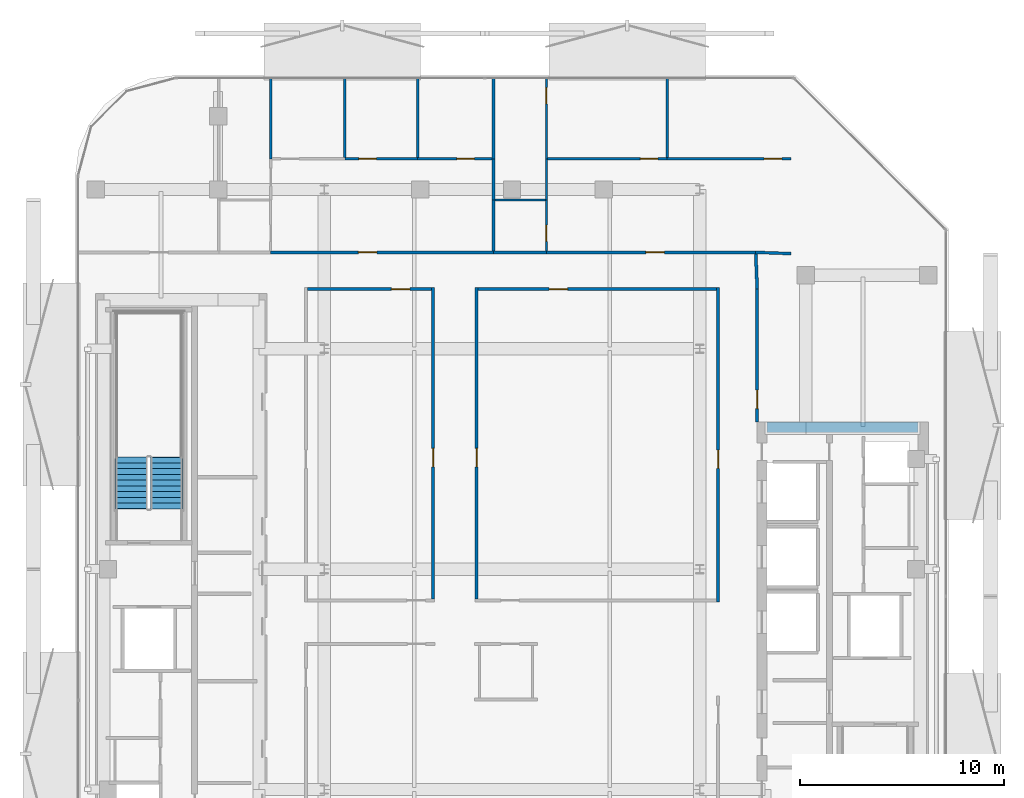
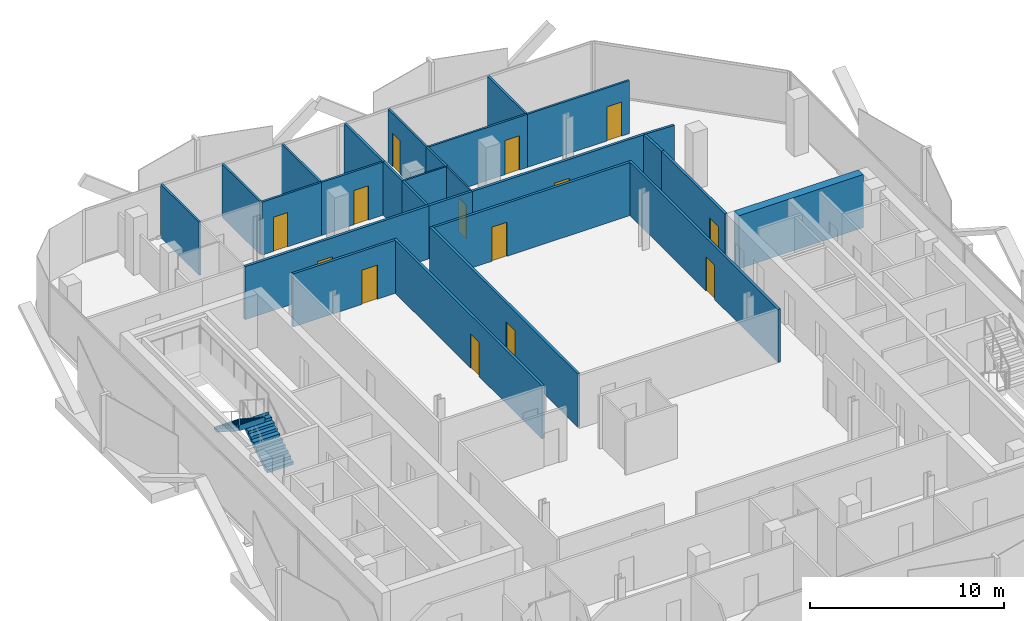
# One storey, part 6 of 15: 27 walls, 14 doors, 2 stair flights, 14 openings, 1 element without a shape of its own.
"""IFC4 building model written with IfcOpenShell, lengths in metres."""

from ifc_helpers import new_model, si_unit, direction, frame, frame_2d, origin, place, context, subcontext, project, spatial, polyline, rectangle, outline, extrude, material, layer, layer_set, type_object, element, fill, aggregate, save


model = new_model("IFC4")

# Units and contexts
model_context = context("Model", 3, precision=1e-05, world=origin(), true_north=direction((0.0, 1.0)))
body_context = subcontext(model_context, "Body", "Model", "MODEL_VIEW")
ifc_project = project(units=[si_unit("LENGTHUNIT", "METRE"), si_unit("AREAUNIT", "SQUARE_METRE"), si_unit("VOLUMEUNIT", "CUBIC_METRE"), si_unit("PLANEANGLEUNIT", "RADIAN"), si_unit("MASSUNIT", "GRAM", prefix="KILO")], contexts=[model_context])

# Site, building, storey
site_placement = place(None, origin())
site = spatial("IfcSite", under=ifc_project, at=site_placement, CompositionType="ELEMENT")
building_placement = place(site_placement, origin())
building = spatial("IfcBuilding", under=site, at=building_placement, Name="Khairoan Windgate Tower", CompositionType="ELEMENT")
storey_placement = place(building_placement, frame((0.0, 0.0, 262.0)))
storey = spatial("IfcBuildingStorey", under=building, at=storey_placement, Name="L62", CompositionType="ELEMENT", Elevation=262.0)

# Wall
ifc_material_1 = material(Name="Moisture-Resistant Gypsum Partition", Category="gypsum")
ifc_layer_1 = layer(ifc_material_1, 0.10009765625, Name="Moisture-Resistant Gypsum Partition")
ifc_layer_set_1 = layer_set([ifc_layer_1], Name="Moisture-Resistant Gypsum Partition")
wall_type_1 = type_object("IfcWallType", Name="Bathroom Wet-Area Partition Wall", PredefinedType="PARTITIONING", material=ifc_layer_set_1)
wall_1_placement = place(storey_placement, frame((-0.830078125, 18.10009765625, 0.0), z_axis=(0.0, 0.0, 1.0), x_axis=(1.0, 0.0, 0.0)))
element("IfcWall", 1, at=wall_1_placement, inside=storey, type_object=wall_type_1, Name="L62 Interior Partition 055", PredefinedType="PARTITIONING", context=body_context, shape_type="SweptSolid", body=[
    extrude(rectangle(XDim=2.469970703125, YDim=0.10009765625, at=frame_2d((1.23486328125, 0.0))), origin(), (0.0, 0.0, 1.0), 3.340087890625),
])

# Wall, opening, door
wall_2_placement = place(storey_placement, frame((1.68994140625, 15.60009765625, 0.0), z_axis=(0.0, 0.0, 1.0), x_axis=(0.0, 1.0, 0.0)))
wall_2 = element("IfcWall", 2, at=wall_2_placement, inside=storey, type_object=wall_type_1, Name="L62 Interior Partition 056", PredefinedType="PARTITIONING", context=body_context, shape_type="SweptSolid", body=[
    extrude(rectangle(XDim=2.5, YDim=0.10009765625, at=frame_2d((1.25, 0.0))), origin(), (0.0, 0.0, 1.0), 3.340087890625),
])
opening_1_placement = place(wall_2_placement, frame((0.4599609375, 0.0, 0.0)))
opening_1 = element("IfcOpeningElement", 3, at=opening_1_placement, cuts=wall_2, Name="Opening ID-BTH", PredefinedType="OPENING", context=body_context, shape_type="SweptSolid", body=[
    extrude(rectangle(XDim=0.800048828125, YDim=2.10009765625, at=frame_2d((0.39990234375, 1.050048828125))), frame((0.0, 0.06005859375, 0.0), z_axis=(0.0, -1.0, 0.0), x_axis=(1.0, 0.0, 0.0)), (0.0, 0.0, 1.0), 0.1201171875),
])
ifc_material_2 = material(Name="Teak Veneer Timber Leaf", Category="wood")
door_type_1 = type_object("IfcDoorType", Name="Internal Bathroom Door ID-BTH 800x2100", OperationType="NOTDEFINED", PredefinedType="DOOR", material=ifc_material_2)
door_1_placement = place(opening_1_placement, origin())
door_1 = element("IfcDoor", 4, at=door_1_placement, inside=storey, type_object=door_type_1, Name="L62 L62-41-L62-43 Door", OperationType="SINGLE_SWING_LEFT", OverallHeight=2.10009765625, OverallWidth=0.800048828125, PredefinedType="DOOR", context=body_context, shape_type="SweptSolid", body=[
    extrude(rectangle(XDim=0.800048828125, YDim=2.10009765625, at=frame_2d((0.39990234375, 1.050048828125))), frame((0.0, 0.02490234375, 0.0), z_axis=(0.0, -1.0, 0.0), x_axis=(1.0, 0.0, 0.0)), (0.0, 0.0, 1.0), 0.050048828125),
])
fill(opening_1, door_1)

# Walls
ifc_material_3 = material(Name="Acoustic Fire-Rated Gypsum Partition", Category="gypsum")
ifc_layer_2 = layer(ifc_material_3, 0.139892578125, Name="Acoustic Fire-Rated Gypsum Partition")
ifc_layer_set_2 = layer_set([ifc_layer_2], Name="Acoustic Fire-Rated Gypsum Partition")
wall_type_2 = type_object("IfcWallType", Name="Inter-Tenancy Compartment Wall", PredefinedType="PARTITIONING", material=ifc_layer_set_2)
wall_3_placement = place(storey_placement, frame((-0.89990234375, 15.60009765625, 0.0), z_axis=(0.0, 0.0, 1.0), x_axis=(0.0, 1.0, 0.0)))
element("IfcWall", 5, at=wall_3_placement, inside=storey, type_object=wall_type_2, Name="L62 Interior Partition 050", PredefinedType="PARTITIONING", context=body_context, shape_type="SweptSolid", body=[
    extrude(rectangle(XDim=2.5, YDim=0.139892578125, at=frame_2d((1.25, 0.0))), origin(), (0.0, 0.0, 1.0), 3.340087890625),
])
wall_4_placement = place(storey_placement, frame((-0.89990234375, 18.10009765625, 0.0), z_axis=(0.0, 0.0, 1.0), x_axis=(0.0, 1.0, 0.0)))
element("IfcWall", 6, at=wall_4_placement, inside=storey, type_object=wall_type_2, Name="L62 Interior Partition 051", PredefinedType="PARTITIONING", context=body_context, shape_type="SweptSolid", body=[
    extrude(rectangle(XDim=2.0, YDim=0.139892578125, at=frame_2d((1.0, 0.0))), origin(), (0.0, 0.0, 1.0), 3.340087890625),
])
wall_5_placement = place(storey_placement, frame((-0.89990234375, 20.10009765625, 0.0), z_axis=(0.0, 0.0, 1.0), x_axis=(0.0, 1.0, 0.0)))
element("IfcWall", 7, at=wall_5_placement, inside=storey, type_object=wall_type_2, Name="L62 Interior Partition 054", PredefinedType="PARTITIONING", context=body_context, shape_type="SweptSolid", body=[
    extrude(rectangle(XDim=3.954833984375, YDim=0.139892578125, at=frame_2d((1.9775390625, 0.0))), origin(), (0.0, 0.0, 1.0), 3.340087890625),
])
wall_6_placement = place(storey_placement, frame((11.93994140625, 15.52490234375, 0.0), z_axis=(0.0, 0.0, 1.0), x_axis=(0.999304229002, -0.037296888581, 0.0)))
element("IfcWall", 8, at=wall_6_placement, inside=storey, type_object=wall_type_2, Name="L62 Interior Partition 061", PredefinedType="PARTITIONING", context=body_context, shape_type="SweptSolid", body=[
    extrude(rectangle(XDim=1.7412109375, YDim=0.139892578125, at=frame_2d((0.87060546875, 0.0))), origin(), (0.0, 0.0, 1.0), 3.340087890625),
])
ifc_material_4 = material(Name="Gypsum Stud Partition", Category="gypsum")
ifc_layer_3 = layer(ifc_material_4, 0.1201171875, Name="Gypsum Stud Partition")
ifc_layer_set_3 = layer_set([ifc_layer_3], Name="Gypsum Stud Partition")
wall_type_3 = type_object("IfcWallType", Name="Internal Room Partition Wall", PredefinedType="PARTITIONING", material=ifc_layer_set_3)
wall_7_placement = place(storey_placement, frame((-11.830078125, 20.10009765625, 0.0), z_axis=(0.0, 0.0, 1.0), x_axis=(0.0, 1.0, 0.0)))
element("IfcWall", 9, at=wall_7_placement, inside=storey, type_object=wall_type_3, Name="L62 Interior Partition 045", PredefinedType="PARTITIONING", context=body_context, shape_type="SweptSolid", body=[
    extrude(rectangle(XDim=3.954833984375, YDim=0.1201171875, at=frame_2d((1.9775390625, 0.0))), origin(), (0.0, 0.0, 1.0), 3.340087890625),
])

# Wall, opening, door
wall_8_placement = place(storey_placement, frame((-8.18701171875, 20.10009765625, 0.0), z_axis=(0.0, 0.0, 1.0), x_axis=(1.0, 0.0, 0.0)))
wall_8 = element("IfcWall", 10, at=wall_8_placement, inside=storey, type_object=wall_type_3, Name="L62 Interior Partition 048", PredefinedType="PARTITIONING", context=body_context, shape_type="SweptSolid", body=[
    extrude(rectangle(XDim=3.56396484375, YDim=0.1201171875, at=frame_2d((1.781982421875, 0.0))), origin(), (0.0, 0.0, 1.0), 3.340087890625),
])
opening_2_placement = place(wall_8_placement, frame((0.68310546875, 0.0, 0.0)))
opening_2 = element("IfcOpeningElement", 11, at=opening_2_placement, cuts=wall_8, Name="Opening ID-RM", PredefinedType="OPENING", context=body_context, shape_type="SweptSolid", body=[
    extrude(rectangle(XDim=0.860107421875, YDim=2.14990234375, at=frame_2d((0.43017578125, 1.074951171875))), frame((0.0, 0.070068359375, 0.0), z_axis=(0.0, -1.0, 0.0), x_axis=(1.0, 0.0, 0.0)), (0.0, 0.0, 1.0), 0.14013671875),
])
ifc_material_5 = material(Name="Teak Veneer Timber Leaf", Category="wood")
door_type_2 = type_object("IfcDoorType", Name="Internal Bedroom and Office Door ID-RM 860x2150", OperationType="NOTDEFINED", PredefinedType="DOOR", material=ifc_material_5)
door_2_placement = place(opening_2_placement, origin())
door_2 = element("IfcDoor", 12, at=door_2_placement, inside=storey, type_object=door_type_2, Name="L62 L62-37-L62-39 Door", OperationType="SINGLE_SWING_LEFT", OverallHeight=2.14990234375, OverallWidth=0.860107421875, PredefinedType="DOOR", context=body_context, shape_type="SweptSolid", body=[
    extrude(rectangle(XDim=0.860107421875, YDim=2.14990234375, at=frame_2d((0.43017578125, 1.074951171875))), frame((0.0, 0.02490234375, 0.0), z_axis=(0.0, -1.0, 0.0), x_axis=(1.0, 0.0, 0.0)), (0.0, 0.0, 1.0), 0.050048828125),
])
fill(opening_2, door_2)

wall_9_placement = place(storey_placement, frame((-4.623046875, 20.10009765625, 0.0), z_axis=(0.0, 0.0, 1.0), x_axis=(1.0, 0.0, 0.0)))
wall_9 = element("IfcWall", 13, at=wall_9_placement, inside=storey, type_object=wall_type_3, Name="L62 Interior Partition 049", PredefinedType="PARTITIONING", context=body_context, shape_type="SweptSolid", body=[
    extrude(rectangle(XDim=3.653076171875, YDim=0.1201171875, at=frame_2d((1.82666015625, 0.0))), origin(), (0.0, 0.0, 1.0), 3.340087890625),
])
opening_3_placement = place(wall_9_placement, frame((1.916748046875, 0.0, 0.0)))
opening_3 = element("IfcOpeningElement", 14, at=opening_3_placement, cuts=wall_9, Name="Opening ID-RM", PredefinedType="OPENING", context=body_context, shape_type="SweptSolid", body=[
    extrude(rectangle(XDim=0.860107421875, YDim=2.14990234375, at=frame_2d((0.43017578125, 1.074951171875))), frame((0.0, 0.070068359375, 0.0), z_axis=(0.0, -1.0, 0.0), x_axis=(1.0, 0.0, 0.0)), (0.0, 0.0, 1.0), 0.14013671875),
])
door_3_placement = place(opening_3_placement, origin())
door_3 = element("IfcDoor", 15, at=door_3_placement, inside=storey, type_object=door_type_2, Name="L62 L62-37-L62-40 Door", OperationType="SINGLE_SWING_RIGHT", OverallHeight=2.14990234375, OverallWidth=0.860107421875, PredefinedType="DOOR", context=body_context, shape_type="SweptSolid", body=[
    extrude(rectangle(XDim=0.860107421875, YDim=2.14990234375, at=frame_2d((0.43017578125, 1.074951171875))), frame((0.0, 0.02490234375, 0.0), z_axis=(0.0, -1.0, 0.0), x_axis=(1.0, 0.0, 0.0)), (0.0, 0.0, 1.0), 0.050048828125),
])
fill(opening_3, door_3)

# Walls
for number, where, z_axis, x_axis, name in (
    (16, (-8.18701171875, 20.159912109375, 0.0), (0.0, 0.0, 1.0), (0.0, 1.0, 0.0), "L62 Interior Partition 052"),
    (17, (-4.623046875, 20.159912109375, 0.0), (0.0, 0.0, 1.0), (0.0, 1.0, 0.0), "L62 Interior Partition 053"),
):
    element("IfcWall", number, at=place(storey_placement, frame(where, z_axis=z_axis, x_axis=x_axis)), inside=storey, type_object=wall_type_3, Name=name, PredefinedType="PARTITIONING", context=body_context, shape_type="SweptSolid", body=[
        extrude(rectangle(XDim=3.89501953125, YDim=0.1201171875, at=frame_2d((1.947509765625, 0.0))), origin(), (0.0, 0.0, 1.0), 3.340087890625),
    ])
wall_10_placement = place(storey_placement, frame((1.68994140625, 18.10009765625, 0.0), z_axis=(0.0, 0.0, 1.0), x_axis=(0.0, 1.0, 0.0)))
element("IfcWall", 18, at=wall_10_placement, inside=storey, type_object=wall_type_3, Name="L62 Interior Partition 057", PredefinedType="PARTITIONING", context=body_context, shape_type="SweptSolid", body=[
    extrude(rectangle(XDim=2.0, YDim=0.1201171875, at=frame_2d((1.0, 0.0))), origin(), (0.0, 0.0, 1.0), 3.340087890625),
])

# Wall, opening, door
wall_11_placement = place(storey_placement, frame((1.68994140625, 20.10009765625, 0.0), z_axis=(0.0, 0.0, 1.0), x_axis=(0.0, 1.0, 0.0)))
wall_11 = element("IfcWall", 19, at=wall_11_placement, inside=storey, type_object=wall_type_3, Name="L62 Interior Partition 058", PredefinedType="PARTITIONING", context=body_context, shape_type="SweptSolid", body=[
    extrude(rectangle(XDim=3.954833984375, YDim=0.1201171875, at=frame_2d((1.9775390625, 0.0))), origin(), (0.0, 0.0, 1.0), 3.340087890625),
])
opening_4_placement = place(wall_11_placement, frame((2.695068359375, 0.0, 0.0)))
opening_4 = element("IfcOpeningElement", 20, at=opening_4_placement, cuts=wall_11, Name="Opening ID-BTH", PredefinedType="OPENING", context=body_context, shape_type="SweptSolid", body=[
    extrude(rectangle(XDim=0.800048828125, YDim=2.10009765625, at=frame_2d((0.39990234375, 1.050048828125))), frame((0.0, 0.070068359375, 0.0), z_axis=(0.0, -1.0, 0.0), x_axis=(1.0, 0.0, 0.0)), (0.0, 0.0, 1.0), 0.14013671875),
])
door_4_placement = place(opening_4_placement, origin())
door_4 = element("IfcDoor", 21, at=door_4_placement, inside=storey, type_object=door_type_1, Name="L62 L62-42-L62-44 Door", OperationType="SINGLE_SWING_LEFT", OverallHeight=2.10009765625, OverallWidth=0.800048828125, PredefinedType="DOOR", context=body_context, shape_type="SweptSolid", body=[
    extrude(rectangle(XDim=0.800048828125, YDim=2.10009765625, at=frame_2d((0.39990234375, 1.050048828125))), frame((0.0, 0.02490234375, 0.0), z_axis=(0.0, -1.0, 0.0), x_axis=(1.0, 0.0, 0.0)), (0.0, 0.0, 1.0), 0.050048828125),
])
fill(opening_4, door_4)

wall_12_placement = place(storey_placement, frame((1.75, 20.10009765625, 0.0), z_axis=(0.0, 0.0, 1.0), x_axis=(1.0, 0.0, 0.0)))
wall_12 = element("IfcWall", 22, at=wall_12_placement, inside=storey, type_object=wall_type_3, Name="L62 Interior Partition 059", PredefinedType="PARTITIONING", context=body_context, shape_type="SweptSolid", body=[
    extrude(rectangle(XDim=5.85498046875, YDim=0.1201171875, at=frame_2d((2.927490234375, 0.0))), origin(), (0.0, 0.0, 1.0), 3.340087890625),
])
opening_5_placement = place(wall_12_placement, frame((4.534912109375, 0.0, 0.0)))
opening_5 = element("IfcOpeningElement", 23, at=opening_5_placement, cuts=wall_12, Name="Opening ID-RM", PredefinedType="OPENING", context=body_context, shape_type="SweptSolid", body=[
    extrude(rectangle(XDim=0.860107421875, YDim=2.14990234375, at=frame_2d((0.43017578125, 1.074951171875))), frame((0.0, 0.070068359375, 0.0), z_axis=(0.0, -1.0, 0.0), x_axis=(1.0, 0.0, 0.0)), (0.0, 0.0, 1.0), 0.14013671875),
])
door_5_placement = place(opening_5_placement, origin())
door_5 = element("IfcDoor", 24, at=door_5_placement, inside=storey, type_object=door_type_2, Name="L62 L62-43-L62-44 Door", OperationType="SINGLE_SWING_LEFT", OverallHeight=2.14990234375, OverallWidth=0.860107421875, PredefinedType="DOOR", context=body_context, shape_type="SweptSolid", body=[
    extrude(rectangle(XDim=0.860107421875, YDim=2.14990234375, at=frame_2d((0.43017578125, 1.074951171875))), frame((0.0, 0.02490234375, 0.0), z_axis=(0.0, -1.0, 0.0), x_axis=(1.0, 0.0, 0.0)), (0.0, 0.0, 1.0), 0.050048828125),
])
fill(opening_5, door_5)

wall_13_placement = place(storey_placement, frame((7.60498046875, 20.10009765625, 0.0), z_axis=(0.0, 0.0, 1.0), x_axis=(1.0, 0.0, 0.0)))
wall_13 = element("IfcWall", 25, at=wall_13_placement, inside=storey, type_object=wall_type_3, Name="L62 Interior Partition 060", PredefinedType="PARTITIONING", context=body_context, shape_type="SweptSolid", body=[
    extrude(rectangle(XDim=6.074951171875, YDim=0.1201171875, at=frame_2d((3.03759765625, 0.0))), origin(), (0.0, 0.0, 1.0), 3.340087890625),
])
opening_6_placement = place(wall_13_placement, frame((4.7548828125, 0.0, 0.0)))
opening_6 = element("IfcOpeningElement", 26, at=opening_6_placement, cuts=wall_13, Name="Opening ID-RM", PredefinedType="OPENING", context=body_context, shape_type="SweptSolid", body=[
    extrude(rectangle(XDim=0.860107421875, YDim=2.14990234375, at=frame_2d((0.43017578125, 1.074951171875))), frame((0.0, 0.070068359375, 0.0), z_axis=(0.0, -1.0, 0.0), x_axis=(1.0, 0.0, 0.0)), (0.0, 0.0, 1.0), 0.14013671875),
])
door_6_placement = place(opening_6_placement, origin())
door_6 = element("IfcDoor", 27, at=door_6_placement, inside=storey, type_object=door_type_2, Name="L62 L62-43-L62-45 Door", OperationType="SINGLE_SWING_RIGHT", OverallHeight=2.14990234375, OverallWidth=0.860107421875, PredefinedType="DOOR", context=body_context, shape_type="SweptSolid", body=[
    extrude(rectangle(XDim=0.860107421875, YDim=2.14990234375, at=frame_2d((0.43017578125, 1.074951171875))), frame((0.0, 0.02490234375, 0.0), z_axis=(0.0, -1.0, 0.0), x_axis=(1.0, 0.0, 0.0)), (0.0, 0.0, 1.0), 0.050048828125),
])
fill(opening_6, door_6)

# Wall
wall_14_placement = place(storey_placement, frame((7.60498046875, 20.159912109375, 0.0), z_axis=(0.0, 0.0, 1.0), x_axis=(0.0, 1.0, 0.0)))
element("IfcWall", 28, at=wall_14_placement, inside=storey, type_object=wall_type_3, Name="L62 Interior Partition 062", PredefinedType="PARTITIONING", context=body_context, shape_type="SweptSolid", body=[
    extrude(rectangle(XDim=3.89501953125, YDim=0.1201171875, at=frame_2d((1.947509765625, 0.0))), origin(), (0.0, 0.0, 1.0), 3.340087890625),
])

# Wall, opening, door
ifc_material_6 = material(Name="Acoustic Fire-Rated Gypsum Partition", Category="gypsum")
ifc_layer_4 = layer(ifc_material_6, 0.14990234375, Name="Acoustic Fire-Rated Gypsum Partition")
ifc_layer_set_4 = layer_set([ifc_layer_4], Name="Acoustic Fire-Rated Gypsum Partition")
wall_type_4 = type_object("IfcWallType", Name="Rated Corridor Partition Wall", PredefinedType="PARTITIONING", material=ifc_layer_set_4)
wall_15_placement = place(storey_placement, frame((12.014892578125, 7.199951171875, 0.0), z_axis=(0.0, 0.0, 1.0), x_axis=(0.0, 1.0, 0.0)))
wall_15 = element("IfcWall", 29, at=wall_15_placement, inside=storey, type_object=wall_type_4, Name="L62 Interior Partition 017", PredefinedType="PARTITIONING", context=body_context, shape_type="SweptSolid", body=[
    extrude(rectangle(XDim=6.52001953125, YDim=0.14990234375, at=frame_2d((3.260009765625, 0.0))), origin(), (0.0, 0.0, 1.0), 3.340087890625),
])
opening_7_placement = place(wall_15_placement, frame((0.669921875, 0.0, 0.0)))
opening_7 = element("IfcOpeningElement", 30, at=opening_7_placement, cuts=wall_15, Name="Opening FD-ENT", PredefinedType="OPENING", context=body_context, shape_type="SweptSolid", body=[
    extrude(rectangle(XDim=0.89990234375, YDim=2.14990234375, at=frame_2d((0.449951171875, 1.074951171875))), frame((0.0, 0.0849609375, 0.0), z_axis=(0.0, -1.0, 0.0), x_axis=(1.0, 0.0, 0.0)), (0.0, 0.0, 1.0), 0.169921875),
])
ifc_material_7 = material(Name="Timber Fire-Rated Core", Category="wood")
door_type_3 = type_object("IfcDoorType", Name="Unit and Office Fire Entrance Door FD-ENT 900x2150", OperationType="NOTDEFINED", PredefinedType="DOOR", material=ifc_material_7)
door_7_placement = place(opening_7_placement, origin())
door_7 = element("IfcDoor", 31, at=door_7_placement, inside=storey, type_object=door_type_3, Name="L62 L62-30-L62-56 Door", OperationType="SINGLE_SWING_RIGHT", OverallHeight=2.14990234375, OverallWidth=0.89990234375, PredefinedType="DOOR", context=body_context, shape_type="SweptSolid", body=[
    extrude(rectangle(XDim=0.89990234375, YDim=2.14990234375, at=frame_2d((0.449951171875, 1.074951171875))), frame((0.0, 0.02490234375, 0.0), z_axis=(0.0, -1.0, 0.0), x_axis=(1.0, 0.0, 0.0)), (0.0, 0.0, 1.0), 0.050048828125),
])
fill(opening_7, door_7)

wall_16_placement = place(storey_placement, frame((10.10009765625, -1.610107421875, 0.0), z_axis=(0.0, 0.0, 1.0), x_axis=(0.0, 1.0, 0.0)))
wall_16 = element("IfcWall", 32, at=wall_16_placement, inside=storey, type_object=wall_type_4, Name="L62 Interior Partition 018", PredefinedType="PARTITIONING", context=body_context, shape_type="SweptSolid", body=[
    extrude(rectangle(XDim=15.405029296875, YDim=0.14990234375, at=frame_2d((7.70263671875, 0.0))), origin(), (0.0, 0.0, 1.0), 3.340087890625),
])
opening_8_placement = place(wall_16_placement, frame((6.542724609375, 0.0, 0.0)))
opening_8 = element("IfcOpeningElement", 33, at=opening_8_placement, cuts=wall_16, Name="Opening FD-ENT", PredefinedType="OPENING", context=body_context, shape_type="SweptSolid", body=[
    extrude(rectangle(XDim=0.89990234375, YDim=2.14990234375, at=frame_2d((0.449951171875, 1.074951171875))), frame((0.0, 0.0849609375, 0.0), z_axis=(0.0, -1.0, 0.0), x_axis=(1.0, 0.0, 0.0)), (0.0, 0.0, 1.0), 0.169921875),
])
door_8_placement = place(opening_8_placement, origin())
door_8 = element("IfcDoor", 34, at=door_8_placement, inside=storey, type_object=door_type_3, Name="L62 L62-30-L62-61 Door", OperationType="SINGLE_SWING_LEFT", OverallHeight=2.14990234375, OverallWidth=0.89990234375, PredefinedType="DOOR", context=body_context, shape_type="SweptSolid", body=[
    extrude(rectangle(XDim=0.89990234375, YDim=2.14990234375, at=frame_2d((0.449951171875, 1.074951171875))), frame((0.0, 0.02490234375, 0.0), z_axis=(0.0, -1.0, 0.0), x_axis=(1.0, 0.0, 0.0)), (0.0, 0.0, 1.0), 0.050048828125),
])
fill(opening_8, door_8)

wall_17_placement = place(storey_placement, frame((-3.864990234375, -1.4599609375, 0.0), z_axis=(0.0, 0.0, 1.0), x_axis=(0.0, 1.0, 0.0)))
wall_17 = element("IfcWall", 35, at=wall_17_placement, inside=storey, type_object=wall_type_4, Name="L62 Interior Partition 024", PredefinedType="PARTITIONING", context=body_context, shape_type="SweptSolid", body=[
    extrude(rectangle(XDim=15.2548828125, YDim=0.14990234375, at=frame_2d((7.62744140625, 0.0))), origin(), (0.0, 0.0, 1.0), 3.340087890625),
])
opening_9_placement = place(wall_17_placement, frame((6.4755859375, 0.0, 0.0)))
opening_9 = element("IfcOpeningElement", 36, at=opening_9_placement, cuts=wall_17, Name="Opening FD-ENT", PredefinedType="OPENING", context=body_context, shape_type="SweptSolid", body=[
    extrude(rectangle(XDim=0.89990234375, YDim=2.14990234375, at=frame_2d((0.449951171875, 1.074951171875))), frame((0.0, 0.0849609375, 0.0), z_axis=(0.0, -1.0, 0.0), x_axis=(1.0, 0.0, 0.0)), (0.0, 0.0, 1.0), 0.169921875),
])
door_9_placement = place(opening_9_placement, origin())
door_9 = element("IfcDoor", 37, at=door_9_placement, inside=storey, type_object=door_type_3, Name="L62 L62-32-L62-59 Door", OperationType="SINGLE_SWING_LEFT", OverallHeight=2.14990234375, OverallWidth=0.89990234375, PredefinedType="DOOR", context=body_context, shape_type="SweptSolid", body=[
    extrude(rectangle(XDim=0.89990234375, YDim=2.14990234375, at=frame_2d((0.449951171875, 1.074951171875))), frame((0.0, 0.02490234375, 0.0), z_axis=(0.0, -1.0, 0.0), x_axis=(1.0, 0.0, 0.0)), (0.0, 0.0, 1.0), 0.050048828125),
])
fill(opening_9, door_9)

wall_18_placement = place(storey_placement, frame((-1.735107421875, -1.4599609375, 0.0), z_axis=(0.0, 0.0, 1.0), x_axis=(0.0, 1.0, 0.0)))
wall_18 = element("IfcWall", 38, at=wall_18_placement, inside=storey, type_object=wall_type_4, Name="L62 Interior Partition 025", PredefinedType="PARTITIONING", context=body_context, shape_type="SweptSolid", body=[
    extrude(rectangle(XDim=15.2548828125, YDim=0.14990234375, at=frame_2d((7.62744140625, 0.0))), origin(), (0.0, 0.0, 1.0), 3.340087890625),
])
opening_10_placement = place(wall_18_placement, frame((6.4755859375, 0.0, 0.0)))
opening_10 = element("IfcOpeningElement", 39, at=opening_10_placement, cuts=wall_18, Name="Opening FD-ENT", PredefinedType="OPENING", context=body_context, shape_type="SweptSolid", body=[
    extrude(rectangle(XDim=0.89990234375, YDim=2.14990234375, at=frame_2d((0.449951171875, 1.074951171875))), frame((0.0, 0.0849609375, 0.0), z_axis=(0.0, -1.0, 0.0), x_axis=(1.0, 0.0, 0.0)), (0.0, 0.0, 1.0), 0.169921875),
])
door_10_placement = place(opening_10_placement, origin())
door_10 = element("IfcDoor", 40, at=door_10_placement, inside=storey, type_object=door_type_3, Name="L62 L62-32-L62-61 Door", OperationType="SINGLE_SWING_RIGHT", OverallHeight=2.14990234375, OverallWidth=0.89990234375, PredefinedType="DOOR", context=body_context, shape_type="SweptSolid", body=[
    extrude(rectangle(XDim=0.89990234375, YDim=2.14990234375, at=frame_2d((0.449951171875, 1.074951171875))), frame((0.0, 0.02490234375, 0.0), z_axis=(0.0, -1.0, 0.0), x_axis=(1.0, 0.0, 0.0)), (0.0, 0.0, 1.0), 0.050048828125),
])
fill(opening_10, door_10)

wall_19_placement = place(storey_placement, frame((-11.830078125, 15.52490234375, 0.0), z_axis=(0.0, 0.0, 1.0), x_axis=(1.0, 0.0, 0.0)))
wall_19 = element("IfcWall", 41, at=wall_19_placement, inside=storey, type_object=wall_type_4, Name="L62 Interior Partition 027", PredefinedType="PARTITIONING", context=body_context, shape_type="SweptSolid", body=[
    extrude(rectangle(XDim=10.93017578125, YDim=0.14990234375, at=frame_2d((5.465087890625, 0.0))), origin(), (0.0, 0.0, 1.0), 3.340087890625),
])
opening_11_placement = place(wall_19_placement, frame((4.306396484375, 0.0, 0.0)))
opening_11 = element("IfcOpeningElement", 42, at=opening_11_placement, cuts=wall_19, Name="Opening FD-ENT", PredefinedType="OPENING", context=body_context, shape_type="SweptSolid", body=[
    extrude(rectangle(XDim=0.89990234375, YDim=2.14990234375, at=frame_2d((0.449951171875, 1.074951171875))), frame((0.0, 0.0849609375, 0.0), z_axis=(0.0, -1.0, 0.0), x_axis=(1.0, 0.0, 0.0)), (0.0, 0.0, 1.0), 0.169921875),
])
door_11_placement = place(opening_11_placement, origin())
door_11 = element("IfcDoor", 43, at=door_11_placement, inside=storey, type_object=door_type_3, Name="L62 L62-33-L62-37 Door", OperationType="SINGLE_SWING_LEFT", OverallHeight=2.14990234375, OverallWidth=0.89990234375, PredefinedType="DOOR", context=body_context, shape_type="SweptSolid", body=[
    extrude(rectangle(XDim=0.89990234375, YDim=2.14990234375, at=frame_2d((0.449951171875, 1.074951171875))), frame((0.0, 0.02490234375, 0.0), z_axis=(0.0, -1.0, 0.0), x_axis=(1.0, 0.0, 0.0)), (0.0, 0.0, 1.0), 0.050048828125),
])
fill(opening_11, door_11)

# Wall
wall_20_placement = place(storey_placement, frame((-0.89990234375, 15.52490234375, 0.0), z_axis=(0.0, 0.0, 1.0), x_axis=(1.0, 0.0, 0.0)))
element("IfcWall", 44, at=wall_20_placement, inside=storey, type_object=wall_type_4, Name="L62 Interior Partition 028", PredefinedType="PARTITIONING", context=body_context, shape_type="SweptSolid", body=[
    extrude(rectangle(XDim=2.58984375, YDim=0.14990234375, at=frame_2d((1.294921875, 0.0))), origin(), (0.0, 0.0, 1.0), 3.340087890625),
])

# Wall, opening, door
wall_21_placement = place(storey_placement, frame((1.68994140625, 15.52490234375, 0.0), z_axis=(0.0, 0.0, 1.0), x_axis=(1.0, 0.0, 0.0)))
wall_21 = element("IfcWall", 45, at=wall_21_placement, inside=storey, type_object=wall_type_4, Name="L62 Interior Partition 029", PredefinedType="PARTITIONING", context=body_context, shape_type="SweptSolid", body=[
    extrude(rectangle(XDim=10.25, YDim=0.14990234375, at=frame_2d((5.125, 0.0))), origin(), (0.0, 0.0, 1.0), 3.340087890625),
])
opening_12_placement = place(wall_21_placement, frame((4.875732421875, 0.0, 0.0)))
opening_12 = element("IfcOpeningElement", 46, at=opening_12_placement, cuts=wall_21, Name="Opening FD-ENT", PredefinedType="OPENING", context=body_context, shape_type="SweptSolid", body=[
    extrude(rectangle(XDim=0.89990234375, YDim=2.14990234375, at=frame_2d((0.449951171875, 1.074951171875))), frame((0.0, 0.0849609375, 0.0), z_axis=(0.0, -1.0, 0.0), x_axis=(1.0, 0.0, 0.0)), (0.0, 0.0, 1.0), 0.169921875),
])
door_12_placement = place(opening_12_placement, origin())
door_12 = element("IfcDoor", 47, at=door_12_placement, inside=storey, type_object=door_type_3, Name="L62 L62-33-L62-43 Door", OperationType="SINGLE_SWING_RIGHT", OverallHeight=2.14990234375, OverallWidth=0.89990234375, PredefinedType="DOOR", context=body_context, shape_type="SweptSolid", body=[
    extrude(rectangle(XDim=0.89990234375, YDim=2.14990234375, at=frame_2d((0.449951171875, 1.074951171875))), frame((0.0, 0.02490234375, 0.0), z_axis=(0.0, -1.0, 0.0), x_axis=(1.0, 0.0, 0.0)), (0.0, 0.0, 1.0), 0.050048828125),
])
fill(opening_12, door_12)

# Wall
wall_22_placement = place(storey_placement, frame((12.014892578125, 13.719970703125, 0.0), z_axis=(0.0, 0.0, 1.0), x_axis=(-0.040046877756, 0.99919780203, 0.0)))
element("IfcWall", 48, at=wall_22_placement, inside=storey, type_object=wall_type_4, Name="L62 Interior Partition 030", PredefinedType="PARTITIONING", context=body_context, shape_type="SweptSolid", body=[
    extrude(rectangle(XDim=1.7314453125, YDim=0.14990234375, at=frame_2d((0.86572265625, 0.0))), origin(), (0.0, 0.0, 1.0), 3.340087890625),
])

# Wall, opening, door
wall_23_placement = place(storey_placement, frame((-10.02490234375, 13.719970703125, 0.0), z_axis=(0.0, 0.0, 1.0), x_axis=(1.0, 0.0, 0.0)))
wall_23 = element("IfcWall", 49, at=wall_23_placement, inside=storey, type_object=wall_type_4, Name="L62 Interior Partition 032", PredefinedType="PARTITIONING", context=body_context, shape_type="SweptSolid", body=[
    extrude(rectangle(XDim=6.0849609375, YDim=0.14990234375, at=frame_2d((3.04248046875, 0.0))), origin(), (0.0, 0.0, 1.0), 3.340087890625),
])
opening_13_placement = place(wall_23_placement, frame((4.11572265625, 0.0, 0.0)))
opening_13 = element("IfcOpeningElement", 50, at=opening_13_placement, cuts=wall_23, Name="Opening FD-ENT", PredefinedType="OPENING", context=body_context, shape_type="SweptSolid", body=[
    extrude(rectangle(XDim=0.89990234375, YDim=2.14990234375, at=frame_2d((0.449951171875, 1.074951171875))), frame((0.0, 0.0849609375, 0.0), z_axis=(0.0, -1.0, 0.0), x_axis=(1.0, 0.0, 0.0)), (0.0, 0.0, 1.0), 0.169921875),
])
door_13_placement = place(opening_13_placement, origin())
door_13 = element("IfcDoor", 51, at=door_13_placement, inside=storey, type_object=door_type_3, Name="L62 L62-33-L62-59 Door", OperationType="SINGLE_SWING_LEFT", OverallHeight=2.14990234375, OverallWidth=0.89990234375, PredefinedType="DOOR", context=body_context, shape_type="SweptSolid", body=[
    extrude(rectangle(XDim=0.89990234375, YDim=2.14990234375, at=frame_2d((0.449951171875, 1.074951171875))), frame((0.0, 0.02490234375, 0.0), z_axis=(0.0, -1.0, 0.0), x_axis=(1.0, 0.0, 0.0)), (0.0, 0.0, 1.0), 0.050048828125),
])
fill(opening_13, door_13)

wall_24_placement = place(storey_placement, frame((-1.659912109375, 13.719970703125, 0.0), z_axis=(0.0, 0.0, 1.0), x_axis=(1.0, 0.0, 0.0)))
wall_24 = element("IfcWall", 52, at=wall_24_placement, inside=storey, type_object=wall_type_4, Name="L62 Interior Partition 033", PredefinedType="PARTITIONING", context=body_context, shape_type="SweptSolid", body=[
    extrude(rectangle(XDim=11.684814453125, YDim=0.14990234375, at=frame_2d((5.84228515625, 0.0))), origin(), (0.0, 0.0, 1.0), 3.340087890625),
])
opening_14_placement = place(wall_24_placement, frame((3.47998046875, 0.0, 0.0)))
opening_14 = element("IfcOpeningElement", 53, at=opening_14_placement, cuts=wall_24, Name="Opening FD-ENT", PredefinedType="OPENING", context=body_context, shape_type="SweptSolid", body=[
    extrude(rectangle(XDim=0.89990234375, YDim=2.14990234375, at=frame_2d((0.449951171875, 1.074951171875))), frame((0.0, 0.0849609375, 0.0), z_axis=(0.0, -1.0, 0.0), x_axis=(1.0, 0.0, 0.0)), (0.0, 0.0, 1.0), 0.169921875),
])
door_14_placement = place(opening_14_placement, origin())
door_14 = element("IfcDoor", 54, at=door_14_placement, inside=storey, type_object=door_type_3, Name="L62 L62-33-L62-61 Door", OperationType="SINGLE_SWING_RIGHT", OverallHeight=2.14990234375, OverallWidth=0.89990234375, PredefinedType="DOOR", context=body_context, shape_type="SweptSolid", body=[
    extrude(rectangle(XDim=0.89990234375, YDim=2.14990234375, at=frame_2d((0.449951171875, 1.074951171875))), frame((0.0, 0.02490234375, 0.0), z_axis=(0.0, -1.0, 0.0), x_axis=(1.0, 0.0, 0.0)), (0.0, 0.0, 1.0), 0.050048828125),
])
fill(opening_14, door_14)

# Wall
ifc_material_8 = material(Name="Concrete C50/60", Category="concrete")
ifc_layer_5 = layer(ifc_material_8, 0.5, Name="Concrete C50/60")
ifc_layer_set_5 = layer_set([ifc_layer_5], Name="Concrete C50/60")
wall_type_5 = type_object("IfcWallType", Name="Shear Wall CW-E3 500mm", PredefinedType="SHEAR", material=ifc_layer_set_5)
wall_25_placement = place(storey_placement, frame((12.5, 6.949951171875, 0.0), z_axis=(0.0, 0.0, 1.0), x_axis=(1.0, 0.0, 0.0)))
element("IfcWall", 55, at=wall_25_placement, inside=storey, type_object=wall_type_5, Name="E Core North Shear Wall L62", PredefinedType="SHEAR", context=body_context, shape_type="SweptSolid", body=[
    extrude(rectangle(XDim=7.39990234375, YDim=0.5, at=frame_2d((3.699951171875, 0.0))), origin(), (0.0, 0.0, 1.0), 3.340087890625),
])

# Stair, stair flights
ifc_material_9 = material(Name="Concrete C40/50", Category="concrete")
stair_type = type_object("IfcStairType", Name="Tower Core Dog-Leg Stair ST-T1 1560mm", PredefinedType="HALF_TURN_STAIR", material=ifc_material_9)
stair_placement = place(storey_placement, origin())
stair = element("IfcStair", 56, at=stair_placement, inside=storey, type_object=stair_type, Name="L62 Stair ST2", PredefinedType="HALF_TURN_STAIR")
ifc_material_10 = material(Name="Concrete C40/50", Category="concrete")
ifc_layer_6 = layer(ifc_material_10, 0.14990234375, Name="Concrete C40/50")
ifc_layer_set_6 = layer_set([ifc_layer_6], Name="Concrete C40/50")
stair_flight_type = type_object("IfcStairFlightType", Name="Tower Core Stair Flight STF-1560", PredefinedType="STRAIGHT", material=ifc_layer_set_6)
stair_flight_1_placement = place(storey_placement, frame((-16.929931640625, 2.9599609375, 0.0), z_axis=(0.0, 0.0, 1.0), x_axis=(0.0, 1.0, 0.0)))
stair_flight_1 = element("IfcStairFlight", 57, at=stair_flight_1_placement, type_object=stair_flight_type, Name="ST2 flight 1", NumberOfRisers=10, NumberOfTreads=9, PredefinedType="STRAIGHT", RiserHeight=0.18, TreadLength=0.28, context=body_context, shape_type="SweptSolid", body=[
    extrude(outline(polyline([(-0.00390625, 0.0), (-0.00390625, 0.179931640625), (0.0, 0.179931640625), (0.280029296875, 0.179931640625), (0.280029296875, 0.360107421875), (0.56005859375, 0.360107421875), (0.56005859375, 0.5400390625), (0.840087890625, 0.5400390625), (0.840087890625, 0.719970703125), (1.1201171875, 0.719970703125), (1.1201171875, 0.89990234375), (1.39990234375, 0.89990234375), (1.39990234375, 1.080078125), (1.679931640625, 1.080078125), (1.679931640625, 1.260009765625), (1.9599609375, 1.260009765625), (1.9599609375, 1.43994140625), (2.239990234375, 1.43994140625), (2.239990234375, 1.6201171875), (2.52001953125, 1.6201171875), (2.52001953125, 1.800048828125), (2.52392578125, 1.800048828125), (2.52392578125, 1.44189453125), (0.277099609375, 0.0), (-0.00390625, 0.0)])), frame((0.0, 0.780029296875, 0.0), z_axis=(0.0, -1.0, 0.0), x_axis=(1.0, 0.0, 0.0)), (0.0, 0.0, 1.0), 1.56005859375),
])
stair_flight_2_placement = place(storey_placement, frame((-18.639892578125, 5.47998046875, 1.800048828125), z_axis=(0.0, 0.0, 1.0), x_axis=(0.0, -1.0, 0.0)))
stair_flight_2 = element("IfcStairFlight", 58, at=stair_flight_2_placement, type_object=stair_flight_type, Name="ST2 flight 2", NumberOfRisers=10, NumberOfTreads=9, PredefinedType="STRAIGHT", RiserHeight=0.18, TreadLength=0.28, context=body_context, shape_type="SweptSolid", body=[
    extrude(outline(polyline([(-0.00390625, 0.0), (-0.00390625, 0.179931640625), (0.0, 0.179931640625), (0.280029296875, 0.179931640625), (0.280029296875, 0.360107421875), (0.56005859375, 0.360107421875), (0.56005859375, 0.5400390625), (0.840087890625, 0.5400390625), (0.840087890625, 0.719970703125), (1.1201171875, 0.719970703125), (1.1201171875, 0.89990234375), (1.39990234375, 0.89990234375), (1.39990234375, 1.080078125), (1.679931640625, 1.080078125), (1.679931640625, 1.260009765625), (1.9599609375, 1.260009765625), (1.9599609375, 1.43994140625), (2.239990234375, 1.43994140625), (2.239990234375, 1.6201171875), (2.52001953125, 1.6201171875), (2.52001953125, 1.800048828125), (2.52392578125, 1.800048828125), (2.52392578125, 1.44189453125), (0.277099609375, 0.0), (-0.00390625, 0.0)])), frame((0.0, 0.780029296875, 0.0), z_axis=(0.0, -1.0, 0.0), x_axis=(1.0, 0.0, 0.0)), (0.0, 0.0, 1.0), 1.56005859375),
])
aggregate(stair, [stair_flight_1, stair_flight_2])

save(model, "model.ifc")
